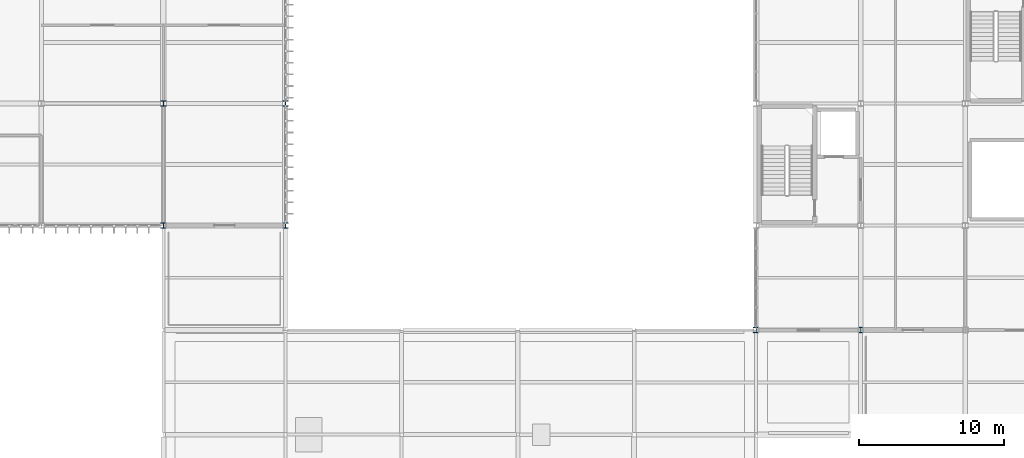
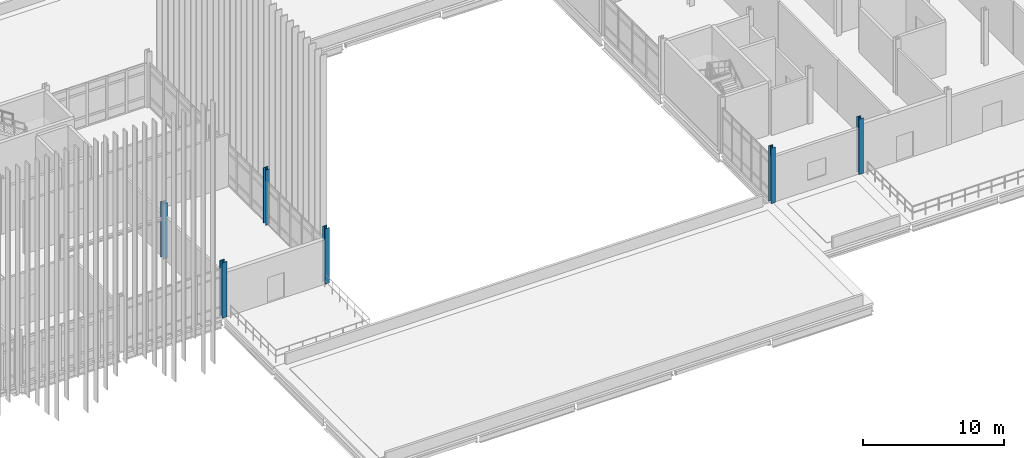
# One storey, part 5 of 153: 6 columns.
"""IFC4 building model written with IfcOpenShell, lengths in metres."""

from ifc_helpers import new_model, si_unit, direction, frame, origin, origin_2d, place, context, subcontext, project, spatial, i_section, extrude, material, material_profile, profile_set, type_object, element, save


model = new_model("IFC4")

# Units and contexts
model_context = context("Model", 3, precision=1e-05, world=origin(), true_north=direction((0.0, 1.0)))
body_context = subcontext(model_context, "Body", "Model", "MODEL_VIEW")
ifc_project = project(units=[si_unit("LENGTHUNIT", "METRE"), si_unit("AREAUNIT", "SQUARE_METRE"), si_unit("VOLUMEUNIT", "CUBIC_METRE"), si_unit("PLANEANGLEUNIT", "RADIAN"), si_unit("MASSUNIT", "GRAM", prefix="KILO")], contexts=[model_context])

# Site, building, storey
site_placement = place(None, origin())
site = spatial("IfcSite", under=ifc_project, at=site_placement, CompositionType="ELEMENT")
building_placement = place(site_placement, origin())
building = spatial("IfcBuilding", under=site, at=building_placement, Name="Calvrana Isthmian Art Gallery", CompositionType="ELEMENT")
storey_placement = place(building_placement, frame((0.0, 0.0, 10.199951171875)))
storey = spatial("IfcBuildingStorey", under=building, at=storey_placement, Name="L02", CompositionType="ELEMENT", Elevation=10.199951171875)

# Columns
ifc_material = material(Name="Steel ASTM A992 Gr 50", Category="steel")
ifc_material_profile_1 = material_profile(ifc_material, i_section(OverallWidth=0.37109375, OverallDepth=0.363037109375, WebThickness=0.01318359375, FlangeThickness=0.021728515625, FilletRadius=0.02490234375, at=origin_2d()), Name="W14X109")
ifc_profile_set_1 = profile_set([ifc_material_profile_1], Name="Steel ASTM A992 Gr 50")
column_type_1 = type_object("IfcColumnType", Name="COL-STL-W14X109", PredefinedType="COLUMN", material=ifc_profile_set_1)
column_1_placement = place(storey_placement, frame((80.39990234375, 30.0, 0.0), z_axis=(0.0, 0.0, 1.0), x_axis=(1.0, 0.0, 0.0)))
element("IfcColumn", 1, at=column_1_placement, inside=storey, type_object=column_type_1, Name="Column 11/E L02", PredefinedType="COLUMN", context=body_context, shape_type="SweptSolid", body=[
    extrude(i_section(OverallWidth=0.37109375, OverallDepth=0.363037109375, WebThickness=0.01318359375, FlangeThickness=0.021728515625, FilletRadius=0.02490234375, at=origin_2d()), origin(), (0.0, 0.0, 1.0), 4.800048828125),
])
ifc_material_profile_2 = material_profile(ifc_material, i_section(OverallWidth=0.373046875, OverallDepth=0.367919921875, WebThickness=0.014892578125, FlangeThickness=0.02392578125, FilletRadius=0.02490234375, at=origin_2d()), Name="W14X120")
ifc_profile_set_2 = profile_set([ifc_material_profile_2], Name="Steel ASTM A992 Gr 50")
column_type_2 = type_object("IfcColumnType", Name="COL-STL-W14X120", PredefinedType="COLUMN", material=ifc_profile_set_2)
for number, where, z_axis, x_axis, name in (
    (2, (72.0, 30.0, 0.0), (0.0, 0.0, 1.0), (1.0, 0.0, 0.0), "Column 10/E L02"),
    (3, (120.0, 14.39990234375, 0.0), (0.0, 0.0, 1.0), (1.0, 0.0, 0.0), "Column 16/C L02"),
):
    element("IfcColumn", number, at=place(storey_placement, frame(where, z_axis=z_axis, x_axis=x_axis)), inside=storey, type_object=column_type_2, Name=name, PredefinedType="COLUMN", context=body_context, shape_type="SweptSolid", body=[
        extrude(i_section(OverallWidth=0.373046875, OverallDepth=0.367919921875, WebThickness=0.014892578125, FlangeThickness=0.02392578125, FilletRadius=0.02490234375, at=origin_2d()), origin(), (0.0, 0.0, 1.0), 4.800048828125),
    ])
ifc_material_profile_3 = material_profile(ifc_material, i_section(OverallWidth=0.373046875, OverallDepth=0.373046875, WebThickness=0.016357421875, FlangeThickness=0.026123046875, FilletRadius=0.02490234375, at=origin_2d()), Name="W14X132")
ifc_profile_set_3 = profile_set([ifc_material_profile_3], Name="Steel ASTM A992 Gr 50")
column_type_3 = type_object("IfcColumnType", Name="COL-STL-W14X132", PredefinedType="COLUMN", material=ifc_profile_set_3)
for number, where, z_axis, x_axis, name in (
    (4, (80.39990234375, 21.60009765625, 0.0), (0.0, 0.0, 1.0), (1.0, 0.0, 0.0), "Column 11/D L02"),
    (5, (112.800048828125, 14.39990234375, 0.0), (0.0, 0.0, 1.0), (1.0, 0.0, 0.0), "Column 15/C L02"),
):
    element("IfcColumn", number, at=place(storey_placement, frame(where, z_axis=z_axis, x_axis=x_axis)), inside=storey, type_object=column_type_3, Name=name, PredefinedType="COLUMN", context=body_context, shape_type="SweptSolid", body=[
        extrude(i_section(OverallWidth=0.373046875, OverallDepth=0.373046875, WebThickness=0.016357421875, FlangeThickness=0.026123046875, FilletRadius=0.02490234375, at=origin_2d()), origin(), (0.0, 0.0, 1.0), 4.800048828125),
    ])
ifc_material_profile_4 = material_profile(ifc_material, i_section(OverallWidth=0.39404296875, OverallDepth=0.3759765625, WebThickness=0.017333984375, FlangeThickness=0.027587890625, FilletRadius=0.02490234375, at=origin_2d()), Name="W14X145")
ifc_profile_set_4 = profile_set([ifc_material_profile_4], Name="Steel ASTM A992 Gr 50")
column_type_4 = type_object("IfcColumnType", Name="COL-STL-W14X145", PredefinedType="COLUMN", material=ifc_profile_set_4)
column_2_placement = place(storey_placement, frame((72.0, 21.60009765625, 0.0), z_axis=(0.0, 0.0, 1.0), x_axis=(1.0, 0.0, 0.0)))
element("IfcColumn", 6, at=column_2_placement, inside=storey, type_object=column_type_4, Name="Column 10/D L02", PredefinedType="COLUMN", context=body_context, shape_type="SweptSolid", body=[
    extrude(i_section(OverallWidth=0.39404296875, OverallDepth=0.3759765625, WebThickness=0.017333984375, FlangeThickness=0.027587890625, FilletRadius=0.02490234375, at=origin_2d()), origin(), (0.0, 0.0, 1.0), 4.800048828125),
])

save(model, "model.ifc")
